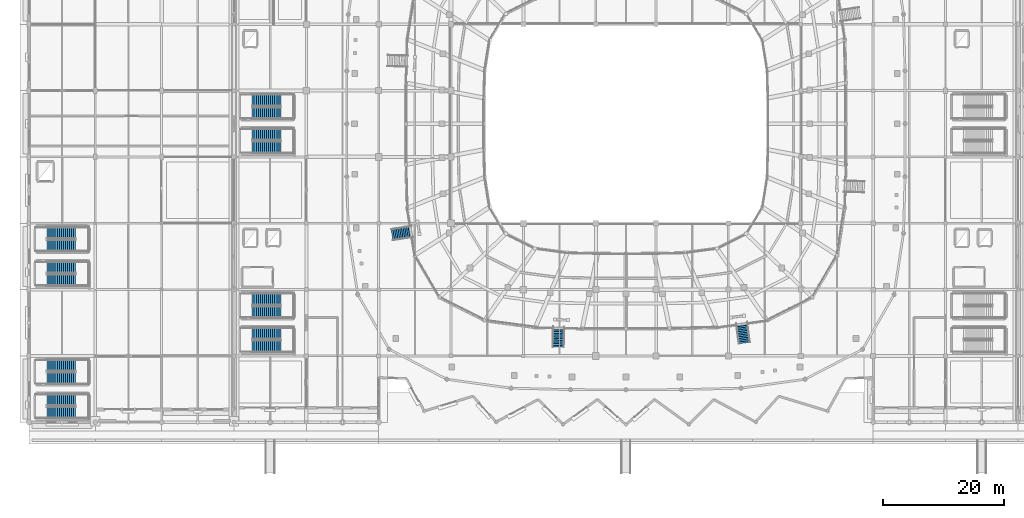
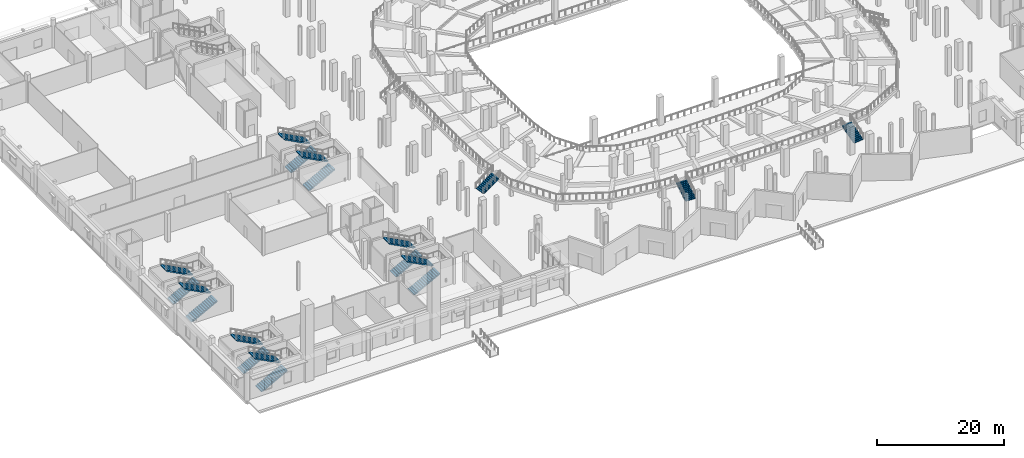
# One storey, part 71 of 120: 19 stair flights, 11 elements without a shape of their own.
"""IFC4 building model written with IfcOpenShell, lengths in metres."""

from ifc_helpers import new_model, si_unit, direction, frame, origin, place, context, subcontext, project, spatial, polyline, outline, extrude, material, layer, layer_set, type_object, element, aggregate, save


model = new_model("IFC4")

# Units and contexts
model_context = context("Model", 3, precision=1e-05, world=origin(), true_north=direction((0.0, 1.0)))
body_context = subcontext(model_context, "Body", "Model", "MODEL_VIEW")
ifc_project = project(units=[si_unit("LENGTHUNIT", "METRE"), si_unit("AREAUNIT", "SQUARE_METRE"), si_unit("VOLUMEUNIT", "CUBIC_METRE"), si_unit("PLANEANGLEUNIT", "RADIAN"), si_unit("MASSUNIT", "GRAM", prefix="KILO")], contexts=[model_context])

# Site, building, storey
site_placement = place(None, origin())
site = spatial("IfcSite", under=ifc_project, at=site_placement, CompositionType="ELEMENT")
building_placement = place(site_placement, origin())
building = spatial("IfcBuilding", under=site, at=building_placement, Name="Luwafu Chhajja Arena", CompositionType="ELEMENT")
storey_placement = place(building_placement, origin())
storey = spatial("IfcBuildingStorey", under=building, at=storey_placement, Name="L00", CompositionType="ELEMENT", Elevation=0.0)

# Stair, stair flight
ifc_material_1 = material(Name="Precast concrete C40/50", Category="concrete")
stair_type_1 = type_object("IfcStairType", Name="Bowl Lower Vomitory Straight Stair 1820", PredefinedType="STRAIGHT_RUN_STAIR", material=ifc_material_1)
stair_1_placement = place(storey_placement, origin())
stair_1 = element("IfcStair", 1, at=stair_1_placement, inside=storey, type_object=stair_type_1, Name="L00 Bowl Vomitory Stair VM-05", PredefinedType="STRAIGHT_RUN_STAIR")
ifc_layer_1 = layer(ifc_material_1, 0.179931640625, Name="Precast concrete C40/50")
ifc_layer_set_1 = layer_set([ifc_layer_1], Name="Precast concrete C40/50")
stair_flight_type_1 = type_object("IfcStairFlightType", Name="Precast Vomitory Stair Flight 1820", PredefinedType="STRAIGHT", material=ifc_layer_set_1)
stair_flight_1_placement = place(storey_placement, frame((60.217529296875, 31.100341796875, 0.0), z_axis=(0.0, 0.0, 1.0), x_axis=(0.987925008077, 0.154932819044, 0.0)))
stair_flight_1 = element("IfcStairFlight", 2, at=stair_flight_1_placement, type_object=stair_flight_type_1, Name="L00 Vomitory VM-05 StairFlight", NumberOfRisers=12, NumberOfTreads=11, PredefinedType="STRAIGHT", RiserHeight=0.154166667, TreadLength=0.285, context=body_context, shape_type="SweptSolid", body=[
    extrude(outline(polyline([(0.0, 0.0), (0.0, 0.154052734375), (0.284912109375, 0.154052734375), (0.284912109375, 0.308349609375), (0.570068359375, 0.308349609375), (0.570068359375, 0.46240234375), (0.85498046875, 0.46240234375), (0.85498046875, 0.61669921875), (1.139892578125, 0.61669921875), (1.139892578125, 0.770751953125), (1.425048828125, 0.770751953125), (1.425048828125, 0.925048828125), (1.7099609375, 0.925048828125), (1.7099609375, 1.0791015625), (1.9951171875, 1.0791015625), (1.9951171875, 1.2333984375), (2.280029296875, 1.2333984375), (2.280029296875, 1.387451171875), (2.56494140625, 1.387451171875), (2.56494140625, 1.541748046875), (2.85009765625, 1.541748046875), (2.85009765625, 1.69580078125), (3.135009765625, 1.69580078125), (3.135009765625, 1.85009765625), (3.135009765625, 1.4912109375), (0.378173828125, 0.0), (0.0, 0.0)])), frame((0.0, 0.91015625, 0.0), z_axis=(0.0, -1.0, 0.0), x_axis=(1.0, 0.0, 0.0)), (0.0, 0.0, 1.0), 1.820068359375),
])
aggregate(stair_1, [stair_flight_1])

stair_2_placement = place(storey_placement, origin())
stair_2 = element("IfcStair", 3, at=stair_2_placement, inside=storey, type_object=stair_type_1, Name="L00 Bowl Vomitory Stair VM-06", PredefinedType="STRAIGHT_RUN_STAIR")
stair_flight_2_placement = place(storey_placement, frame((87.779296875, 12.458984375, 0.0), z_axis=(0.0, 0.0, 1.0), x_axis=(0.024128580395, 0.999708863424, 0.0)))
stair_flight_2 = element("IfcStairFlight", 4, at=stair_flight_2_placement, type_object=stair_flight_type_1, Name="L00 Vomitory VM-06 StairFlight", NumberOfRisers=12, NumberOfTreads=11, PredefinedType="STRAIGHT", RiserHeight=0.154166667, TreadLength=0.285, context=body_context, shape_type="SweptSolid", body=[
    extrude(outline(polyline([(0.0, 0.0), (0.0, 0.154052734375), (0.284912109375, 0.154052734375), (0.284912109375, 0.308349609375), (0.570068359375, 0.308349609375), (0.570068359375, 0.46240234375), (0.85498046875, 0.46240234375), (0.85498046875, 0.61669921875), (1.139892578125, 0.61669921875), (1.139892578125, 0.770751953125), (1.425048828125, 0.770751953125), (1.425048828125, 0.925048828125), (1.7099609375, 0.925048828125), (1.7099609375, 1.0791015625), (1.9951171875, 1.0791015625), (1.9951171875, 1.2333984375), (2.280029296875, 1.2333984375), (2.280029296875, 1.387451171875), (2.56494140625, 1.387451171875), (2.56494140625, 1.541748046875), (2.85009765625, 1.541748046875), (2.85009765625, 1.69580078125), (3.135009765625, 1.69580078125), (3.135009765625, 1.85009765625), (3.135009765625, 1.4912109375), (0.378173828125, 0.0), (0.0, 0.0)])), frame((0.0, 0.91015625, 0.0), z_axis=(0.0, -1.0, 0.0), x_axis=(1.0, 0.0, 0.0)), (0.0, 0.0, 1.0), 1.820068359375),
])
aggregate(stair_2, [stair_flight_2])

stair_3_placement = place(storey_placement, origin())
stair_3 = element("IfcStair", 5, at=stair_3_placement, inside=storey, type_object=stair_type_1, Name="L00 Bowl Vomitory Stair VM-07", PredefinedType="STRAIGHT_RUN_STAIR")
stair_flight_3_placement = place(storey_placement, frame((118.653564453125, 13.15185546875, 0.0), z_axis=(0.0, 0.0, 1.0), x_axis=(-0.134837095163, 0.990867780164, 0.0)))
stair_flight_3 = element("IfcStairFlight", 6, at=stair_flight_3_placement, type_object=stair_flight_type_1, Name="L00 Vomitory VM-07 StairFlight", NumberOfRisers=12, NumberOfTreads=11, PredefinedType="STRAIGHT", RiserHeight=0.154166667, TreadLength=0.285, context=body_context, shape_type="SweptSolid", body=[
    extrude(outline(polyline([(0.0, 0.0), (0.0, 0.154052734375), (0.284912109375, 0.154052734375), (0.284912109375, 0.308349609375), (0.570068359375, 0.308349609375), (0.570068359375, 0.46240234375), (0.85498046875, 0.46240234375), (0.85498046875, 0.61669921875), (1.139892578125, 0.61669921875), (1.139892578125, 0.770751953125), (1.425048828125, 0.770751953125), (1.425048828125, 0.925048828125), (1.7099609375, 0.925048828125), (1.7099609375, 1.0791015625), (1.9951171875, 1.0791015625), (1.9951171875, 1.2333984375), (2.280029296875, 1.2333984375), (2.280029296875, 1.387451171875), (2.56494140625, 1.387451171875), (2.56494140625, 1.541748046875), (2.85009765625, 1.541748046875), (2.85009765625, 1.69580078125), (3.135009765625, 1.69580078125), (3.135009765625, 1.85009765625), (3.135009765625, 1.4912109375), (0.378173828125, 0.0), (0.0, 0.0)])), frame((0.0, 0.91015625, 0.0), z_axis=(0.0, -1.0, 0.0), x_axis=(1.0, 0.0, 0.0)), (0.0, 0.0, 1.0), 1.820068359375),
])
aggregate(stair_3, [stair_flight_3])

# Stair, stair flights
ifc_material_2 = material(Name="Concrete C35/45", Category="concrete")
stair_type_2 = type_object("IfcStairType", Name="Wing Protected Dog-Leg Stair 1900", PredefinedType="HALF_TURN_STAIR", material=ifc_material_2)
stair_4_placement = place(storey_placement, origin())
stair_4 = element("IfcStair", 7, at=stair_4_placement, inside=storey, type_object=stair_type_2, Name="L00 Protected Escape Stair ST-13", PredefinedType="HALF_TURN_STAIR")
ifc_layer_2 = layer(ifc_material_2, 0.1650390625, Name="Concrete C35/45")
ifc_layer_set_2 = layer_set([ifc_layer_2], Name="Concrete C35/45")
stair_flight_type_2 = type_object("IfcStairFlightType", Name="RC Escape Stair Flight 1900", PredefinedType="STRAIGHT", material=ifc_layer_set_2)
stair_flight_4_placement = place(storey_placement, frame((3.0, 23.60009765625, 0.0), z_axis=(0.0, 0.0, 1.0), x_axis=(1.0, 0.0, 0.0)))
stair_flight_4 = element("IfcStairFlight", 8, at=stair_flight_4_placement, type_object=stair_flight_type_2, Name="ST-13 flight 1", NumberOfRisers=15, NumberOfTreads=14, PredefinedType="STRAIGHT", RiserHeight=0.18, TreadLength=0.34, context=body_context, shape_type="SweptSolid", body=[
    extrude(outline(polyline([(0.0, 0.0), (0.0, 0.179931640625), (0.340087890625, 0.179931640625), (0.340087890625, 0.360107421875), (0.679931640625, 0.360107421875), (0.679931640625, 0.5400390625), (1.02001953125, 0.5400390625), (1.02001953125, 0.719970703125), (1.360107421875, 0.719970703125), (1.360107421875, 0.89990234375), (1.699951171875, 0.89990234375), (1.699951171875, 1.080078125), (2.0400390625, 1.080078125), (2.0400390625, 1.260009765625), (2.3798828125, 1.260009765625), (2.3798828125, 1.43994140625), (2.719970703125, 1.43994140625), (2.719970703125, 1.6201171875), (3.06005859375, 1.6201171875), (3.06005859375, 1.800048828125), (3.39990234375, 1.800048828125), (3.39990234375, 1.97998046875), (3.739990234375, 1.97998046875), (3.739990234375, 2.159912109375), (4.080078125, 2.159912109375), (4.080078125, 2.340087890625), (4.419921875, 2.340087890625), (4.419921875, 2.52001953125), (4.760009765625, 2.52001953125), (4.760009765625, 2.699951171875), (4.760009765625, 2.32763671875), (0.36328125, 0.0), (0.0, 0.0)])), frame((0.0, 0.949951171875, 0.0), z_axis=(0.0, -1.0, 0.0), x_axis=(1.0, 0.0, 0.0)), (0.0, 0.0, 1.0), 1.89990234375),
])
stair_flight_5_placement = place(storey_placement, frame((7.760009765625, 25.699951171875, 2.699951171875), z_axis=(0.0, 0.0, 1.0), x_axis=(-1.0, 0.0, 0.0)))
stair_flight_5 = element("IfcStairFlight", 9, at=stair_flight_5_placement, type_object=stair_flight_type_2, Name="ST-13 flight 2", NumberOfRisers=15, NumberOfTreads=14, PredefinedType="STRAIGHT", RiserHeight=0.18, TreadLength=0.34, context=body_context, shape_type="SweptSolid", body=[
    extrude(outline(polyline([(0.0, 0.0), (0.0, 0.179931640625), (0.340087890625, 0.179931640625), (0.340087890625, 0.360107421875), (0.679931640625, 0.360107421875), (0.679931640625, 0.5400390625), (1.02001953125, 0.5400390625), (1.02001953125, 0.719970703125), (1.360107421875, 0.719970703125), (1.360107421875, 0.89990234375), (1.699951171875, 0.89990234375), (1.699951171875, 1.080078125), (2.0400390625, 1.080078125), (2.0400390625, 1.260009765625), (2.3798828125, 1.260009765625), (2.3798828125, 1.43994140625), (2.719970703125, 1.43994140625), (2.719970703125, 1.6201171875), (3.06005859375, 1.6201171875), (3.06005859375, 1.800048828125), (3.39990234375, 1.800048828125), (3.39990234375, 1.97998046875), (3.739990234375, 1.97998046875), (3.739990234375, 2.159912109375), (4.080078125, 2.159912109375), (4.080078125, 2.340087890625), (4.419921875, 2.340087890625), (4.419921875, 2.52001953125), (4.760009765625, 2.52001953125), (4.760009765625, 2.699951171875), (4.760009765625, 2.32763671875), (0.36328125, 0.0), (0.0, 0.0)])), frame((0.0, 0.949951171875, 0.0), z_axis=(0.0, -1.0, 0.0), x_axis=(1.0, 0.0, 0.0)), (0.0, 0.0, 1.0), 1.89990234375),
])
aggregate(stair_4, [stair_flight_4, stair_flight_5])

stair_5_placement = place(storey_placement, origin())
stair_5 = element("IfcStair", 10, at=stair_5_placement, inside=storey, type_object=stair_type_2, Name="L00 Protected Escape Stair ST-14", PredefinedType="HALF_TURN_STAIR")
stair_flight_6_placement = place(storey_placement, frame((3.0, 29.300048828125, 0.0), z_axis=(0.0, 0.0, 1.0), x_axis=(1.0, 0.0, 0.0)))
stair_flight_6 = element("IfcStairFlight", 11, at=stair_flight_6_placement, type_object=stair_flight_type_2, Name="ST-14 flight 1", NumberOfRisers=15, NumberOfTreads=14, PredefinedType="STRAIGHT", RiserHeight=0.18, TreadLength=0.34, context=body_context, shape_type="SweptSolid", body=[
    extrude(outline(polyline([(0.0, 0.0), (0.0, 0.179931640625), (0.340087890625, 0.179931640625), (0.340087890625, 0.360107421875), (0.679931640625, 0.360107421875), (0.679931640625, 0.5400390625), (1.02001953125, 0.5400390625), (1.02001953125, 0.719970703125), (1.360107421875, 0.719970703125), (1.360107421875, 0.89990234375), (1.699951171875, 0.89990234375), (1.699951171875, 1.080078125), (2.0400390625, 1.080078125), (2.0400390625, 1.260009765625), (2.3798828125, 1.260009765625), (2.3798828125, 1.43994140625), (2.719970703125, 1.43994140625), (2.719970703125, 1.6201171875), (3.06005859375, 1.6201171875), (3.06005859375, 1.800048828125), (3.39990234375, 1.800048828125), (3.39990234375, 1.97998046875), (3.739990234375, 1.97998046875), (3.739990234375, 2.159912109375), (4.080078125, 2.159912109375), (4.080078125, 2.340087890625), (4.419921875, 2.340087890625), (4.419921875, 2.52001953125), (4.760009765625, 2.52001953125), (4.760009765625, 2.699951171875), (4.760009765625, 2.32763671875), (0.36328125, 0.0), (0.0, 0.0)])), frame((0.0, 0.949951171875, 0.0), z_axis=(0.0, -1.0, 0.0), x_axis=(1.0, 0.0, 0.0)), (0.0, 0.0, 1.0), 1.89990234375),
])
stair_flight_7_placement = place(storey_placement, frame((7.760009765625, 31.39990234375, 2.699951171875), z_axis=(0.0, 0.0, 1.0), x_axis=(-1.0, 0.0, 0.0)))
stair_flight_7 = element("IfcStairFlight", 12, at=stair_flight_7_placement, type_object=stair_flight_type_2, Name="ST-14 flight 2", NumberOfRisers=15, NumberOfTreads=14, PredefinedType="STRAIGHT", RiserHeight=0.18, TreadLength=0.34, context=body_context, shape_type="SweptSolid", body=[
    extrude(outline(polyline([(0.0, 0.0), (0.0, 0.179931640625), (0.340087890625, 0.179931640625), (0.340087890625, 0.360107421875), (0.679931640625, 0.360107421875), (0.679931640625, 0.5400390625), (1.02001953125, 0.5400390625), (1.02001953125, 0.719970703125), (1.360107421875, 0.719970703125), (1.360107421875, 0.89990234375), (1.699951171875, 0.89990234375), (1.699951171875, 1.080078125), (2.0400390625, 1.080078125), (2.0400390625, 1.260009765625), (2.3798828125, 1.260009765625), (2.3798828125, 1.43994140625), (2.719970703125, 1.43994140625), (2.719970703125, 1.6201171875), (3.06005859375, 1.6201171875), (3.06005859375, 1.800048828125), (3.39990234375, 1.800048828125), (3.39990234375, 1.97998046875), (3.739990234375, 1.97998046875), (3.739990234375, 2.159912109375), (4.080078125, 2.159912109375), (4.080078125, 2.340087890625), (4.419921875, 2.340087890625), (4.419921875, 2.52001953125), (4.760009765625, 2.52001953125), (4.760009765625, 2.699951171875), (4.760009765625, 2.32763671875), (0.36328125, 0.0), (0.0, 0.0)])), frame((0.0, 0.949951171875, 0.0), z_axis=(0.0, -1.0, 0.0), x_axis=(1.0, 0.0, 0.0)), (0.0, 0.0, 1.0), 1.89990234375),
])
aggregate(stair_5, [stair_flight_6, stair_flight_7])

stair_6_placement = place(storey_placement, origin())
stair_6 = element("IfcStair", 13, at=stair_6_placement, inside=storey, type_object=stair_type_2, Name="L00 Protected Escape Stair ST-17", PredefinedType="HALF_TURN_STAIR")
stair_flight_8_placement = place(storey_placement, frame((3.0, 1.60009765625, 0.0), z_axis=(0.0, 0.0, 1.0), x_axis=(1.0, 0.0, 0.0)))
stair_flight_8 = element("IfcStairFlight", 14, at=stair_flight_8_placement, type_object=stair_flight_type_2, Name="ST-17 flight 1", NumberOfRisers=15, NumberOfTreads=14, PredefinedType="STRAIGHT", RiserHeight=0.18, TreadLength=0.34, context=body_context, shape_type="SweptSolid", body=[
    extrude(outline(polyline([(0.0, 0.0), (0.0, 0.179931640625), (0.340087890625, 0.179931640625), (0.340087890625, 0.360107421875), (0.679931640625, 0.360107421875), (0.679931640625, 0.5400390625), (1.02001953125, 0.5400390625), (1.02001953125, 0.719970703125), (1.360107421875, 0.719970703125), (1.360107421875, 0.89990234375), (1.699951171875, 0.89990234375), (1.699951171875, 1.080078125), (2.0400390625, 1.080078125), (2.0400390625, 1.260009765625), (2.3798828125, 1.260009765625), (2.3798828125, 1.43994140625), (2.719970703125, 1.43994140625), (2.719970703125, 1.6201171875), (3.06005859375, 1.6201171875), (3.06005859375, 1.800048828125), (3.39990234375, 1.800048828125), (3.39990234375, 1.97998046875), (3.739990234375, 1.97998046875), (3.739990234375, 2.159912109375), (4.080078125, 2.159912109375), (4.080078125, 2.340087890625), (4.419921875, 2.340087890625), (4.419921875, 2.52001953125), (4.760009765625, 2.52001953125), (4.760009765625, 2.699951171875), (4.760009765625, 2.32763671875), (0.36328125, 0.0), (0.0, 0.0)])), frame((0.0, 0.949951171875, 0.0), z_axis=(0.0, -1.0, 0.0), x_axis=(1.0, 0.0, 0.0)), (0.0, 0.0, 1.0), 1.89990234375),
])
stair_flight_9_placement = place(storey_placement, frame((7.760009765625, 3.699951171875, 2.699951171875), z_axis=(0.0, 0.0, 1.0), x_axis=(-1.0, 0.0, 0.0)))
stair_flight_9 = element("IfcStairFlight", 15, at=stair_flight_9_placement, type_object=stair_flight_type_2, Name="ST-17 flight 2", NumberOfRisers=15, NumberOfTreads=14, PredefinedType="STRAIGHT", RiserHeight=0.18, TreadLength=0.34, context=body_context, shape_type="SweptSolid", body=[
    extrude(outline(polyline([(0.0, 0.0), (0.0, 0.179931640625), (0.340087890625, 0.179931640625), (0.340087890625, 0.360107421875), (0.679931640625, 0.360107421875), (0.679931640625, 0.5400390625), (1.02001953125, 0.5400390625), (1.02001953125, 0.719970703125), (1.360107421875, 0.719970703125), (1.360107421875, 0.89990234375), (1.699951171875, 0.89990234375), (1.699951171875, 1.080078125), (2.0400390625, 1.080078125), (2.0400390625, 1.260009765625), (2.3798828125, 1.260009765625), (2.3798828125, 1.43994140625), (2.719970703125, 1.43994140625), (2.719970703125, 1.6201171875), (3.06005859375, 1.6201171875), (3.06005859375, 1.800048828125), (3.39990234375, 1.800048828125), (3.39990234375, 1.97998046875), (3.739990234375, 1.97998046875), (3.739990234375, 2.159912109375), (4.080078125, 2.159912109375), (4.080078125, 2.340087890625), (4.419921875, 2.340087890625), (4.419921875, 2.52001953125), (4.760009765625, 2.52001953125), (4.760009765625, 2.699951171875), (4.760009765625, 2.32763671875), (0.36328125, 0.0), (0.0, 0.0)])), frame((0.0, 0.949951171875, 0.0), z_axis=(0.0, -1.0, 0.0), x_axis=(1.0, 0.0, 0.0)), (0.0, 0.0, 1.0), 1.89990234375),
])
aggregate(stair_6, [stair_flight_8, stair_flight_9])

stair_7_placement = place(storey_placement, origin())
stair_7 = element("IfcStair", 16, at=stair_7_placement, inside=storey, type_object=stair_type_2, Name="L00 Protected Escape Stair ST-18", PredefinedType="HALF_TURN_STAIR")
stair_flight_10_placement = place(storey_placement, frame((3.0, 7.300048828125, 0.0), z_axis=(0.0, 0.0, 1.0), x_axis=(1.0, 0.0, 0.0)))
stair_flight_10 = element("IfcStairFlight", 17, at=stair_flight_10_placement, type_object=stair_flight_type_2, Name="ST-18 flight 1", NumberOfRisers=15, NumberOfTreads=14, PredefinedType="STRAIGHT", RiserHeight=0.18, TreadLength=0.34, context=body_context, shape_type="SweptSolid", body=[
    extrude(outline(polyline([(0.0, 0.0), (0.0, 0.179931640625), (0.340087890625, 0.179931640625), (0.340087890625, 0.360107421875), (0.679931640625, 0.360107421875), (0.679931640625, 0.5400390625), (1.02001953125, 0.5400390625), (1.02001953125, 0.719970703125), (1.360107421875, 0.719970703125), (1.360107421875, 0.89990234375), (1.699951171875, 0.89990234375), (1.699951171875, 1.080078125), (2.0400390625, 1.080078125), (2.0400390625, 1.260009765625), (2.3798828125, 1.260009765625), (2.3798828125, 1.43994140625), (2.719970703125, 1.43994140625), (2.719970703125, 1.6201171875), (3.06005859375, 1.6201171875), (3.06005859375, 1.800048828125), (3.39990234375, 1.800048828125), (3.39990234375, 1.97998046875), (3.739990234375, 1.97998046875), (3.739990234375, 2.159912109375), (4.080078125, 2.159912109375), (4.080078125, 2.340087890625), (4.419921875, 2.340087890625), (4.419921875, 2.52001953125), (4.760009765625, 2.52001953125), (4.760009765625, 2.699951171875), (4.760009765625, 2.32763671875), (0.36328125, 0.0), (0.0, 0.0)])), frame((0.0, 0.949951171875, 0.0), z_axis=(0.0, -1.0, 0.0), x_axis=(1.0, 0.0, 0.0)), (0.0, 0.0, 1.0), 1.89990234375),
])
stair_flight_11_placement = place(storey_placement, frame((7.760009765625, 9.39990234375, 2.699951171875), z_axis=(0.0, 0.0, 1.0), x_axis=(-1.0, 0.0, 0.0)))
stair_flight_11 = element("IfcStairFlight", 18, at=stair_flight_11_placement, type_object=stair_flight_type_2, Name="ST-18 flight 2", NumberOfRisers=15, NumberOfTreads=14, PredefinedType="STRAIGHT", RiserHeight=0.18, TreadLength=0.34, context=body_context, shape_type="SweptSolid", body=[
    extrude(outline(polyline([(0.0, 0.0), (0.0, 0.179931640625), (0.340087890625, 0.179931640625), (0.340087890625, 0.360107421875), (0.679931640625, 0.360107421875), (0.679931640625, 0.5400390625), (1.02001953125, 0.5400390625), (1.02001953125, 0.719970703125), (1.360107421875, 0.719970703125), (1.360107421875, 0.89990234375), (1.699951171875, 0.89990234375), (1.699951171875, 1.080078125), (2.0400390625, 1.080078125), (2.0400390625, 1.260009765625), (2.3798828125, 1.260009765625), (2.3798828125, 1.43994140625), (2.719970703125, 1.43994140625), (2.719970703125, 1.6201171875), (3.06005859375, 1.6201171875), (3.06005859375, 1.800048828125), (3.39990234375, 1.800048828125), (3.39990234375, 1.97998046875), (3.739990234375, 1.97998046875), (3.739990234375, 2.159912109375), (4.080078125, 2.159912109375), (4.080078125, 2.340087890625), (4.419921875, 2.340087890625), (4.419921875, 2.52001953125), (4.760009765625, 2.52001953125), (4.760009765625, 2.699951171875), (4.760009765625, 2.32763671875), (0.36328125, 0.0), (0.0, 0.0)])), frame((0.0, 0.949951171875, 0.0), z_axis=(0.0, -1.0, 0.0), x_axis=(1.0, 0.0, 0.0)), (0.0, 0.0, 1.0), 1.89990234375),
])
aggregate(stair_7, [stair_flight_10, stair_flight_11])

stair_type_3 = type_object("IfcStairType", Name="Quadrant Protected Dog-Leg Stair 1920", PredefinedType="HALF_TURN_STAIR", material=ifc_material_2)
stair_8_placement = place(storey_placement, origin())
stair_8 = element("IfcStair", 19, at=stair_8_placement, inside=storey, type_object=stair_type_3, Name="L00 Protected Escape Stair ST-01", PredefinedType="HALF_TURN_STAIR")
ifc_layer_3 = layer(ifc_material_2, 0.169921875, Name="Concrete C35/45")
ifc_layer_set_3 = layer_set([ifc_layer_3], Name="Concrete C35/45")
stair_flight_type_3 = type_object("IfcStairFlightType", Name="RC Escape Stair Flight 1920", PredefinedType="STRAIGHT", material=ifc_layer_set_3)
stair_flight_12_placement = place(storey_placement, frame((37.02001953125, 12.610107421875, 0.0), z_axis=(0.0, 0.0, 1.0), x_axis=(1.0, 0.0, 0.0)))
stair_flight_12 = element("IfcStairFlight", 20, at=stair_flight_12_placement, type_object=stair_flight_type_3, Name="ST-01 flight 1", NumberOfRisers=15, NumberOfTreads=14, PredefinedType="STRAIGHT", RiserHeight=0.18, TreadLength=0.34, context=body_context, shape_type="SweptSolid", body=[
    extrude(outline(polyline([(0.0, 0.0), (0.0, 0.179931640625), (0.340087890625, 0.179931640625), (0.340087890625, 0.360107421875), (0.679931640625, 0.360107421875), (0.679931640625, 0.5400390625), (1.02001953125, 0.5400390625), (1.02001953125, 0.719970703125), (1.360107421875, 0.719970703125), (1.360107421875, 0.89990234375), (1.699951171875, 0.89990234375), (1.699951171875, 1.080078125), (2.0400390625, 1.080078125), (2.0400390625, 1.260009765625), (2.3798828125, 1.260009765625), (2.3798828125, 1.43994140625), (2.719970703125, 1.43994140625), (2.719970703125, 1.6201171875), (3.06005859375, 1.6201171875), (3.06005859375, 1.800048828125), (3.39990234375, 1.800048828125), (3.39990234375, 1.97998046875), (3.739990234375, 1.97998046875), (3.739990234375, 2.159912109375), (4.080078125, 2.159912109375), (4.080078125, 2.340087890625), (4.419921875, 2.340087890625), (4.419921875, 2.52001953125), (4.760009765625, 2.52001953125), (4.760009765625, 2.699951171875), (4.760009765625, 2.32763671875), (0.36328125, 0.0), (0.0, 0.0)])), frame((0.0, 0.9599609375, 0.0), z_axis=(0.0, -1.0, 0.0), x_axis=(1.0, 0.0, 0.0)), (0.0, 0.0, 1.0), 1.919921875),
])
stair_flight_13_placement = place(storey_placement, frame((41.780029296875, 14.72998046875, 2.699951171875), z_axis=(0.0, 0.0, 1.0), x_axis=(-1.0, 0.0, 0.0)))
stair_flight_13 = element("IfcStairFlight", 21, at=stair_flight_13_placement, type_object=stair_flight_type_3, Name="ST-01 flight 2", NumberOfRisers=15, NumberOfTreads=14, PredefinedType="STRAIGHT", RiserHeight=0.18, TreadLength=0.34, context=body_context, shape_type="SweptSolid", body=[
    extrude(outline(polyline([(0.0, 0.0), (0.0, 0.179931640625), (0.340087890625, 0.179931640625), (0.340087890625, 0.360107421875), (0.679931640625, 0.360107421875), (0.679931640625, 0.5400390625), (1.02001953125, 0.5400390625), (1.02001953125, 0.719970703125), (1.360107421875, 0.719970703125), (1.360107421875, 0.89990234375), (1.699951171875, 0.89990234375), (1.699951171875, 1.080078125), (2.0400390625, 1.080078125), (2.0400390625, 1.260009765625), (2.3798828125, 1.260009765625), (2.3798828125, 1.43994140625), (2.719970703125, 1.43994140625), (2.719970703125, 1.6201171875), (3.06005859375, 1.6201171875), (3.06005859375, 1.800048828125), (3.39990234375, 1.800048828125), (3.39990234375, 1.97998046875), (3.739990234375, 1.97998046875), (3.739990234375, 2.159912109375), (4.080078125, 2.159912109375), (4.080078125, 2.340087890625), (4.419921875, 2.340087890625), (4.419921875, 2.52001953125), (4.760009765625, 2.52001953125), (4.760009765625, 2.699951171875), (4.760009765625, 2.32763671875), (0.36328125, 0.0), (0.0, 0.0)])), frame((0.0, 0.9599609375, 0.0), z_axis=(0.0, -1.0, 0.0), x_axis=(1.0, 0.0, 0.0)), (0.0, 0.0, 1.0), 1.919921875),
])
aggregate(stair_8, [stair_flight_12, stair_flight_13])

stair_9_placement = place(storey_placement, origin())
stair_9 = element("IfcStair", 22, at=stair_9_placement, inside=storey, type_object=stair_type_3, Name="L00 Protected Escape Stair ST-02", PredefinedType="HALF_TURN_STAIR")
stair_flight_14_placement = place(storey_placement, frame((37.02001953125, 18.27001953125, 0.0), z_axis=(0.0, 0.0, 1.0), x_axis=(1.0, 0.0, 0.0)))
stair_flight_14 = element("IfcStairFlight", 23, at=stair_flight_14_placement, type_object=stair_flight_type_3, Name="ST-02 flight 1", NumberOfRisers=15, NumberOfTreads=14, PredefinedType="STRAIGHT", RiserHeight=0.18, TreadLength=0.34, context=body_context, shape_type="SweptSolid", body=[
    extrude(outline(polyline([(0.0, 0.0), (0.0, 0.179931640625), (0.340087890625, 0.179931640625), (0.340087890625, 0.360107421875), (0.679931640625, 0.360107421875), (0.679931640625, 0.5400390625), (1.02001953125, 0.5400390625), (1.02001953125, 0.719970703125), (1.360107421875, 0.719970703125), (1.360107421875, 0.89990234375), (1.699951171875, 0.89990234375), (1.699951171875, 1.080078125), (2.0400390625, 1.080078125), (2.0400390625, 1.260009765625), (2.3798828125, 1.260009765625), (2.3798828125, 1.43994140625), (2.719970703125, 1.43994140625), (2.719970703125, 1.6201171875), (3.06005859375, 1.6201171875), (3.06005859375, 1.800048828125), (3.39990234375, 1.800048828125), (3.39990234375, 1.97998046875), (3.739990234375, 1.97998046875), (3.739990234375, 2.159912109375), (4.080078125, 2.159912109375), (4.080078125, 2.340087890625), (4.419921875, 2.340087890625), (4.419921875, 2.52001953125), (4.760009765625, 2.52001953125), (4.760009765625, 2.699951171875), (4.760009765625, 2.32763671875), (0.36328125, 0.0), (0.0, 0.0)])), frame((0.0, 0.9599609375, 0.0), z_axis=(0.0, -1.0, 0.0), x_axis=(1.0, 0.0, 0.0)), (0.0, 0.0, 1.0), 1.919921875),
])
stair_flight_15_placement = place(storey_placement, frame((41.780029296875, 20.389892578125, 2.699951171875), z_axis=(0.0, 0.0, 1.0), x_axis=(-1.0, 0.0, 0.0)))
stair_flight_15 = element("IfcStairFlight", 24, at=stair_flight_15_placement, type_object=stair_flight_type_3, Name="ST-02 flight 2", NumberOfRisers=15, NumberOfTreads=14, PredefinedType="STRAIGHT", RiserHeight=0.18, TreadLength=0.34, context=body_context, shape_type="SweptSolid", body=[
    extrude(outline(polyline([(0.0, 0.0), (0.0, 0.179931640625), (0.340087890625, 0.179931640625), (0.340087890625, 0.360107421875), (0.679931640625, 0.360107421875), (0.679931640625, 0.5400390625), (1.02001953125, 0.5400390625), (1.02001953125, 0.719970703125), (1.360107421875, 0.719970703125), (1.360107421875, 0.89990234375), (1.699951171875, 0.89990234375), (1.699951171875, 1.080078125), (2.0400390625, 1.080078125), (2.0400390625, 1.260009765625), (2.3798828125, 1.260009765625), (2.3798828125, 1.43994140625), (2.719970703125, 1.43994140625), (2.719970703125, 1.6201171875), (3.06005859375, 1.6201171875), (3.06005859375, 1.800048828125), (3.39990234375, 1.800048828125), (3.39990234375, 1.97998046875), (3.739990234375, 1.97998046875), (3.739990234375, 2.159912109375), (4.080078125, 2.159912109375), (4.080078125, 2.340087890625), (4.419921875, 2.340087890625), (4.419921875, 2.52001953125), (4.760009765625, 2.52001953125), (4.760009765625, 2.699951171875), (4.760009765625, 2.32763671875), (0.36328125, 0.0), (0.0, 0.0)])), frame((0.0, 0.9599609375, 0.0), z_axis=(0.0, -1.0, 0.0), x_axis=(1.0, 0.0, 0.0)), (0.0, 0.0, 1.0), 1.919921875),
])
aggregate(stair_9, [stair_flight_14, stair_flight_15])

stair_10_placement = place(storey_placement, origin())
stair_10 = element("IfcStair", 25, at=stair_10_placement, inside=storey, type_object=stair_type_3, Name="L00 Protected Escape Stair ST-09", PredefinedType="HALF_TURN_STAIR")
stair_flight_16_placement = place(storey_placement, frame((37.02001953125, 45.610107421875, 0.0), z_axis=(0.0, 0.0, 1.0), x_axis=(1.0, 0.0, 0.0)))
stair_flight_16 = element("IfcStairFlight", 26, at=stair_flight_16_placement, type_object=stair_flight_type_3, Name="ST-09 flight 1", NumberOfRisers=15, NumberOfTreads=14, PredefinedType="STRAIGHT", RiserHeight=0.18, TreadLength=0.34, context=body_context, shape_type="SweptSolid", body=[
    extrude(outline(polyline([(0.0, 0.0), (0.0, 0.179931640625), (0.340087890625, 0.179931640625), (0.340087890625, 0.360107421875), (0.679931640625, 0.360107421875), (0.679931640625, 0.5400390625), (1.02001953125, 0.5400390625), (1.02001953125, 0.719970703125), (1.360107421875, 0.719970703125), (1.360107421875, 0.89990234375), (1.699951171875, 0.89990234375), (1.699951171875, 1.080078125), (2.0400390625, 1.080078125), (2.0400390625, 1.260009765625), (2.3798828125, 1.260009765625), (2.3798828125, 1.43994140625), (2.719970703125, 1.43994140625), (2.719970703125, 1.6201171875), (3.06005859375, 1.6201171875), (3.06005859375, 1.800048828125), (3.39990234375, 1.800048828125), (3.39990234375, 1.97998046875), (3.739990234375, 1.97998046875), (3.739990234375, 2.159912109375), (4.080078125, 2.159912109375), (4.080078125, 2.340087890625), (4.419921875, 2.340087890625), (4.419921875, 2.52001953125), (4.760009765625, 2.52001953125), (4.760009765625, 2.699951171875), (4.760009765625, 2.32763671875), (0.36328125, 0.0), (0.0, 0.0)])), frame((0.0, 0.9599609375, 0.0), z_axis=(0.0, -1.0, 0.0), x_axis=(1.0, 0.0, 0.0)), (0.0, 0.0, 1.0), 1.919921875),
])
stair_flight_17_placement = place(storey_placement, frame((41.780029296875, 47.72998046875, 2.699951171875), z_axis=(0.0, 0.0, 1.0), x_axis=(-1.0, 0.0, 0.0)))
stair_flight_17 = element("IfcStairFlight", 27, at=stair_flight_17_placement, type_object=stair_flight_type_3, Name="ST-09 flight 2", NumberOfRisers=15, NumberOfTreads=14, PredefinedType="STRAIGHT", RiserHeight=0.18, TreadLength=0.34, context=body_context, shape_type="SweptSolid", body=[
    extrude(outline(polyline([(0.0, 0.0), (0.0, 0.179931640625), (0.340087890625, 0.179931640625), (0.340087890625, 0.360107421875), (0.679931640625, 0.360107421875), (0.679931640625, 0.5400390625), (1.02001953125, 0.5400390625), (1.02001953125, 0.719970703125), (1.360107421875, 0.719970703125), (1.360107421875, 0.89990234375), (1.699951171875, 0.89990234375), (1.699951171875, 1.080078125), (2.0400390625, 1.080078125), (2.0400390625, 1.260009765625), (2.3798828125, 1.260009765625), (2.3798828125, 1.43994140625), (2.719970703125, 1.43994140625), (2.719970703125, 1.6201171875), (3.06005859375, 1.6201171875), (3.06005859375, 1.800048828125), (3.39990234375, 1.800048828125), (3.39990234375, 1.97998046875), (3.739990234375, 1.97998046875), (3.739990234375, 2.159912109375), (4.080078125, 2.159912109375), (4.080078125, 2.340087890625), (4.419921875, 2.340087890625), (4.419921875, 2.52001953125), (4.760009765625, 2.52001953125), (4.760009765625, 2.699951171875), (4.760009765625, 2.32763671875), (0.36328125, 0.0), (0.0, 0.0)])), frame((0.0, 0.9599609375, 0.0), z_axis=(0.0, -1.0, 0.0), x_axis=(1.0, 0.0, 0.0)), (0.0, 0.0, 1.0), 1.919921875),
])
aggregate(stair_10, [stair_flight_16, stair_flight_17])

stair_11_placement = place(storey_placement, origin())
stair_11 = element("IfcStair", 28, at=stair_11_placement, inside=storey, type_object=stair_type_3, Name="L00 Protected Escape Stair ST-10", PredefinedType="HALF_TURN_STAIR")
stair_flight_18_placement = place(storey_placement, frame((37.02001953125, 51.27001953125, 0.0), z_axis=(0.0, 0.0, 1.0), x_axis=(1.0, 0.0, 0.0)))
stair_flight_18 = element("IfcStairFlight", 29, at=stair_flight_18_placement, type_object=stair_flight_type_3, Name="ST-10 flight 1", NumberOfRisers=15, NumberOfTreads=14, PredefinedType="STRAIGHT", RiserHeight=0.18, TreadLength=0.34, context=body_context, shape_type="SweptSolid", body=[
    extrude(outline(polyline([(0.0, 0.0), (0.0, 0.179931640625), (0.340087890625, 0.179931640625), (0.340087890625, 0.360107421875), (0.679931640625, 0.360107421875), (0.679931640625, 0.5400390625), (1.02001953125, 0.5400390625), (1.02001953125, 0.719970703125), (1.360107421875, 0.719970703125), (1.360107421875, 0.89990234375), (1.699951171875, 0.89990234375), (1.699951171875, 1.080078125), (2.0400390625, 1.080078125), (2.0400390625, 1.260009765625), (2.3798828125, 1.260009765625), (2.3798828125, 1.43994140625), (2.719970703125, 1.43994140625), (2.719970703125, 1.6201171875), (3.06005859375, 1.6201171875), (3.06005859375, 1.800048828125), (3.39990234375, 1.800048828125), (3.39990234375, 1.97998046875), (3.739990234375, 1.97998046875), (3.739990234375, 2.159912109375), (4.080078125, 2.159912109375), (4.080078125, 2.340087890625), (4.419921875, 2.340087890625), (4.419921875, 2.52001953125), (4.760009765625, 2.52001953125), (4.760009765625, 2.699951171875), (4.760009765625, 2.32763671875), (0.36328125, 0.0), (0.0, 0.0)])), frame((0.0, 0.9599609375, 0.0), z_axis=(0.0, -1.0, 0.0), x_axis=(1.0, 0.0, 0.0)), (0.0, 0.0, 1.0), 1.919921875),
])
stair_flight_19_placement = place(storey_placement, frame((41.780029296875, 53.389892578125, 2.699951171875), z_axis=(0.0, 0.0, 1.0), x_axis=(-1.0, 0.0, 0.0)))
stair_flight_19 = element("IfcStairFlight", 30, at=stair_flight_19_placement, type_object=stair_flight_type_3, Name="ST-10 flight 2", NumberOfRisers=15, NumberOfTreads=14, PredefinedType="STRAIGHT", RiserHeight=0.18, TreadLength=0.34, context=body_context, shape_type="SweptSolid", body=[
    extrude(outline(polyline([(0.0, 0.0), (0.0, 0.179931640625), (0.340087890625, 0.179931640625), (0.340087890625, 0.360107421875), (0.679931640625, 0.360107421875), (0.679931640625, 0.5400390625), (1.02001953125, 0.5400390625), (1.02001953125, 0.719970703125), (1.360107421875, 0.719970703125), (1.360107421875, 0.89990234375), (1.699951171875, 0.89990234375), (1.699951171875, 1.080078125), (2.0400390625, 1.080078125), (2.0400390625, 1.260009765625), (2.3798828125, 1.260009765625), (2.3798828125, 1.43994140625), (2.719970703125, 1.43994140625), (2.719970703125, 1.6201171875), (3.06005859375, 1.6201171875), (3.06005859375, 1.800048828125), (3.39990234375, 1.800048828125), (3.39990234375, 1.97998046875), (3.739990234375, 1.97998046875), (3.739990234375, 2.159912109375), (4.080078125, 2.159912109375), (4.080078125, 2.340087890625), (4.419921875, 2.340087890625), (4.419921875, 2.52001953125), (4.760009765625, 2.52001953125), (4.760009765625, 2.699951171875), (4.760009765625, 2.32763671875), (0.36328125, 0.0), (0.0, 0.0)])), frame((0.0, 0.9599609375, 0.0), z_axis=(0.0, -1.0, 0.0), x_axis=(1.0, 0.0, 0.0)), (0.0, 0.0, 1.0), 1.919921875),
])
aggregate(stair_11, [stair_flight_18, stair_flight_19])

save(model, "model.ifc")
